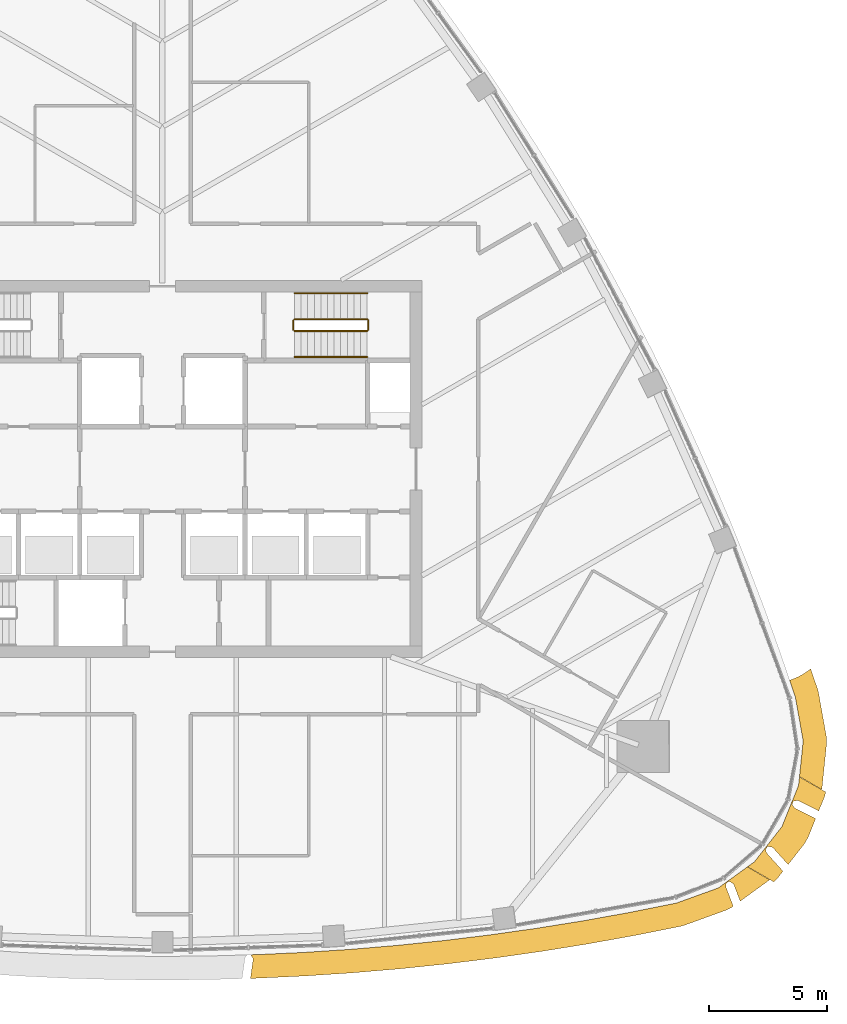
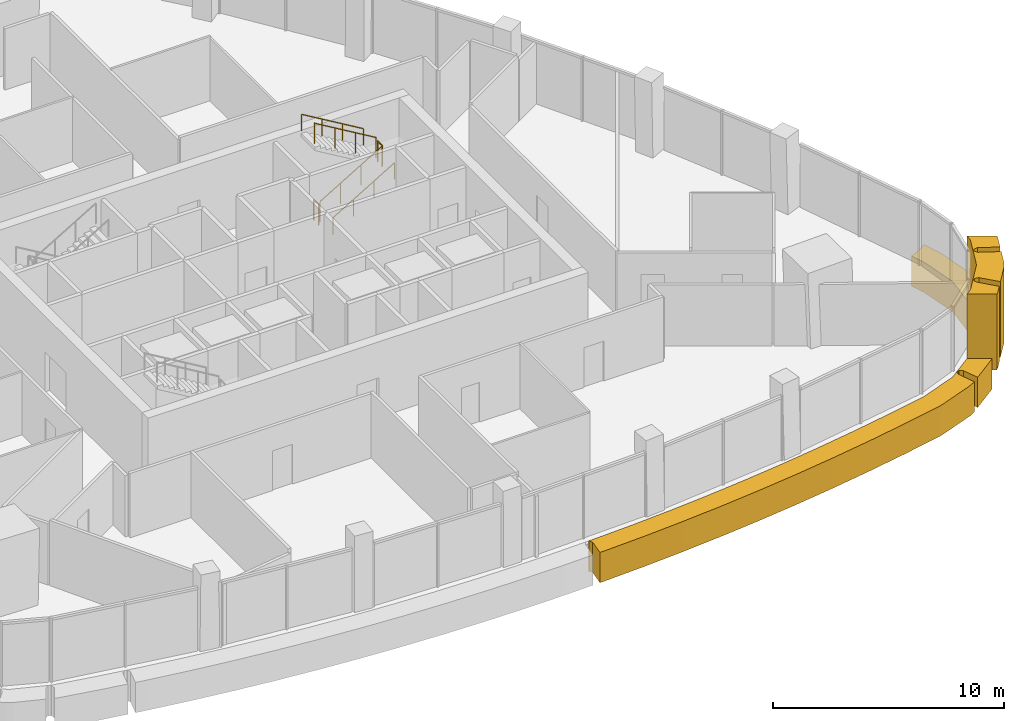
# One storey, part 13 of 15: 6 railings, 3 coverings.
"""IFC4 building model written with IfcOpenShell, lengths in metres."""

import ifcopenshell
import ifcopenshell.guid

model = None  # the IFC model being written
_history = None  # IfcOwnerHistory: only IFC2X3 demands one
_inside = {}  # id of a spatial element -> (the spatial element, [elements in it])
_under = {}  # id of a project, library or spatial element -> (it, [spatial elements below it])
_declared = {}  # id of a project -> (the project, [libraries it declares])
_typed = {}  # id of a type object -> (the type object, [elements of that type])
_made_of = {}  # id of a material, layer set ... -> (it, [elements and type objects made of it])


def new_model(schema):
    """Start an empty IFC model of exactly this schema.

    Asked for "IFC4X3", IfcOpenShell would pick the latest addendum, in which some entities
    have other attributes; the version numbers below select the first issue.
    IFC2X3 requires an IfcOwnerHistory on every rooted entity: one is made here for all.
    """
    global model, _history
    if schema == "IFC4X3":
        model = ifcopenshell.file(schema_version=(4, 3, 0, 0))
    else:
        model = ifcopenshell.file(schema=schema)
    _inside.clear()
    _under.clear()
    _declared.clear()
    _typed.clear()
    _made_of.clear()
    _history = None
    if model.schema == "IFC2X3":
        org = make("IfcOrganization", Name="unknown")
        user = make(
            "IfcPersonAndOrganization",
            ThePerson=make("IfcPerson", FamilyName="unknown"),
            TheOrganization=org,
        )
        app = make(
            "IfcApplication",
            ApplicationDeveloper=org,
            Version="unknown",
            ApplicationFullName="unknown",
            ApplicationIdentifier="unknown",
        )
        _history = make(
            "IfcOwnerHistory",
            OwningUser=user,
            OwningApplication=app,
            ChangeAction="ADDED",
            CreationDate=0,
        )
    return model


def make(cls, **values):
    """One entity of the class cls with the attributes given. An attribute that is None is left unset."""
    return model.create_entity(
        cls, **{name: value for name, value in values.items() if value is not None}
    )


def rooted(cls, **values):
    """An entity with a GlobalId (a new one), such as an element, a storey or a relation."""
    return make(cls, GlobalId=ifcopenshell.guid.new(), OwnerHistory=_history, **values)


def si_unit(unit_type, name, prefix=None):
    """IfcSIUnit, for example si_unit("LENGTHUNIT", "METRE", prefix="MILLI")."""
    return make("IfcSIUnit", UnitType=unit_type, Prefix=prefix, Name=name)


def assignment(units):
    """IfcUnitAssignment: the units of a project."""
    return None if units is None else make("IfcUnitAssignment", Units=units)


def point(xyz):
    """IfcCartesianPoint."""
    return None if xyz is None else make("IfcCartesianPoint", Coordinates=xyz)


def direction(xyz):
    """IfcDirection."""
    return None if xyz is None else make("IfcDirection", DirectionRatios=xyz)


def frame(location, z_axis=None, x_axis=None):
    """IfcAxis2Placement3D, a coordinate frame: its origin and axes. An axis left out is left unset."""
    return make(
        "IfcAxis2Placement3D",
        Location=point(location),
        Axis=direction(z_axis),
        RefDirection=direction(x_axis),
    )


def frame_2d(location, x_axis=None):
    """IfcAxis2Placement2D, a coordinate frame in the plane: its origin and x axis."""
    return make(
        "IfcAxis2Placement2D", Location=point(location), RefDirection=direction(x_axis)
    )


def origin():
    """The frame at (0, 0, 0) with its axes left unset."""
    return frame((0.0, 0.0, 0.0))


def origin_2d():
    """The frame at (0, 0) in the plane with its x axis left unset."""
    return frame_2d((0.0, 0.0))


def place(relative_to, where):
    """IfcLocalPlacement: puts the frame where relative to a parent placement (None: the world)."""
    return make(
        "IfcLocalPlacement", PlacementRelTo=relative_to, RelativePlacement=where
    )


def context(
    kind, dimensions, precision=None, world=None, true_north=None, identifier=None
):
    """IfcGeometricRepresentationContext, for example the 3D "Model" context."""
    return make(
        "IfcGeometricRepresentationContext",
        ContextIdentifier=identifier,
        ContextType=kind,
        CoordinateSpaceDimension=dimensions,
        Precision=precision,
        WorldCoordinateSystem=world,
        TrueNorth=true_north,
    )


def subcontext(parent, identifier, kind, view, scale=None):
    """IfcGeometricRepresentationSubContext, for example "Body" below "Model"."""
    return make(
        "IfcGeometricRepresentationSubContext",
        ContextIdentifier=identifier,
        ContextType=kind,
        ParentContext=parent,
        TargetScale=scale,
        TargetView=view,
    )


def project(units=None, contexts=None):
    """IfcProject with its units and contexts."""
    return rooted(
        "IfcProject",
        Name="project",
        RepresentationContexts=contexts,
        UnitsInContext=assignment(units),
    )


def spatial(cls, under=None, at=None, **own):
    """A site, building, storey or space (cls), placed at a placement, below another one or the project."""
    s = rooted(cls, ObjectPlacement=at, **own)
    if under is not None:
        _under.setdefault(under.id(), (under, []))[1].append(s)
    return s


def polyline(points):
    """IfcPolyline through the points."""
    return make("IfcPolyline", Points=[point(p) for p in points])


def profile(cls, at=None, kind="AREA", **sizes):
    """A parametric profile (cls). Its sizes go by their IFC names, for example OverallWidth=200.0."""
    return make(cls, ProfileType=kind, Position=at, **sizes)


def circle(**sizes):
    """IfcCircleProfileDef."""
    return profile("IfcCircleProfileDef", **sizes)


def outline(outer, holes=None, kind="AREA"):
    """IfcArbitraryClosedProfileDef: a profile drawn as a closed curve; with holes, ...WithVoids."""
    if holes is None:
        return make("IfcArbitraryClosedProfileDef", ProfileType=kind, OuterCurve=outer)
    return make(
        "IfcArbitraryProfileDefWithVoids",
        ProfileType=kind,
        OuterCurve=outer,
        InnerCurves=holes,
    )


def extrude(swept, where, along, depth):
    """IfcExtrudedAreaSolid: the profile swept, set in the frame where, extruded along a direction by depth."""
    return make(
        "IfcExtrudedAreaSolid",
        SweptArea=swept,
        Position=where,
        ExtrudedDirection=direction(along),
        Depth=depth,
    )


def shape(context_of_items, identifier, shape_type, items):
    """IfcShapeRepresentation: the items that make up one representation, for example the "Body"."""
    return make(
        "IfcShapeRepresentation",
        ContextOfItems=context_of_items,
        RepresentationIdentifier=identifier,
        RepresentationType=shape_type,
        Items=items,
    )


def material(Name=None, Category=None):
    """IfcMaterial."""
    return make("IfcMaterial", Name=Name, Category=Category)


def layer(
    of_material, thickness, ventilated=None, Name=None, Category=None, Priority=None
):
    """IfcMaterialLayer: one layer of a wall or slab, of a material (None: an air gap)."""
    return make(
        "IfcMaterialLayer",
        Material=of_material,
        LayerThickness=thickness,
        IsVentilated=ventilated,
        Name=Name,
        Category=Category,
        Priority=Priority,
    )


def layer_set(layers, Name=None):
    """IfcMaterialLayerSet."""
    return make("IfcMaterialLayerSet", MaterialLayers=layers, LayerSetName=Name)


def made_of(thing, what):
    """Note that an element or type object is made of a material, layer set ...; save() writes the relation."""
    if what is not None:
        _made_of.setdefault(what.id(), (what, []))[1].append(thing)
    return thing


def type_object(cls, material=None, **own):
    """A type object (cls), such as IfcWallType, which elements share."""
    return made_of(rooted(cls, **own), material)


def element(
    cls,
    number,
    at=None,
    inside=None,
    cuts=None,
    type_object=None,
    material=None,
    context=None,
    identifier="Body",
    shape_type=None,
    held_by="IfcProductDefinitionShape",
    body=None,
    shapes=None,
    **own,
):
    """One element of the class cls, such as IfcWall. Its Tag is "e" and its number.

    at: its placement. inside: the storey or other place that contains it. cuts: it is an
    opening in that element (IfcRelVoidsElement). A single representation is given by context,
    identifier, shape_type and body (its items); several are given by shapes. held_by: the class
    of the entity that holds the representations. save() writes the other relations.
    """
    e = rooted(cls, Tag="e%d" % number, ObjectPlacement=at, **own)
    if body is not None:
        shapes = [shape(context, identifier, shape_type, body)]
    if shapes is not None:
        e.Representation = make(held_by, Representations=shapes)
    if inside is not None:
        _inside.setdefault(inside.id(), (inside, []))[1].append(e)
    if cuts is not None:
        rooted(
            "IfcRelVoidsElement", RelatingBuildingElement=cuts, RelatedOpeningElement=e
        )
    if type_object is not None:
        _typed.setdefault(type_object.id(), (type_object, []))[1].append(e)
    return made_of(e, material)


def aggregate(whole, parts):
    """IfcRelAggregates: a whole, such as a stair, and the parts it consists of."""
    return rooted("IfcRelAggregates", RelatingObject=whole, RelatedObjects=parts)


def save(model, path):
    """Write the relations noted so far, then the file.

    IfcRelAggregates (storeys below a building ...), IfcRelContainedInSpatialStructure (elements
    in a storey), IfcRelDefinesByType, IfcRelAssociatesMaterial and IfcRelDeclares: one each for
    every whole, place, type object, material and project.
    """
    for whole, parts in _under.values():
        aggregate(whole, parts)
    for where, things in _inside.values():
        rooted(
            "IfcRelContainedInSpatialStructure",
            RelatedElements=things,
            RelatingStructure=where,
        )
    for kind, things in _typed.values():
        rooted("IfcRelDefinesByType", RelatedObjects=things, RelatingType=kind)
    for what, things in _made_of.values():
        rooted("IfcRelAssociatesMaterial", RelatedObjects=things, RelatingMaterial=what)
    for by, libraries in _declared.values():
        rooted("IfcRelDeclares", RelatingContext=by, RelatedDefinitions=libraries)
    model.write(path)


model = new_model("IFC4")

# Units and contexts
model_context = context("Model", 3, precision=1e-05, world=origin(), true_north=direction((0.0, 1.0)))
body_context = subcontext(model_context, "Body", "Model", "MODEL_VIEW")
ifc_project = project(units=[si_unit("LENGTHUNIT", "METRE"), si_unit("AREAUNIT", "SQUARE_METRE"), si_unit("VOLUMEUNIT", "CUBIC_METRE"), si_unit("PLANEANGLEUNIT", "RADIAN"), si_unit("MASSUNIT", "GRAM", prefix="KILO")], contexts=[model_context])

# Site, building, storey
site_placement = place(None, origin())
site = spatial("IfcSite", under=ifc_project, at=site_placement, CompositionType="ELEMENT")
building_placement = place(site_placement, origin())
building = spatial("IfcBuilding", under=site, at=building_placement, Name="Sierra Prisma Convention Tower", CompositionType="ELEMENT")
storey_placement = place(building_placement, frame((0.0, 0.0, 299.0)))
storey = spatial("IfcBuildingStorey", under=building, at=storey_placement, Name="L68", CompositionType="ELEMENT", Elevation=299.0)

# Coverings
ifc_material_1 = material(Name="Aluminium composite bronze anodised", Category="aluminium")
ifc_layer_1 = layer(ifc_material_1, 1.199951171875)
ifc_layer_set_1 = layer_set([ifc_layer_1], Name="Bronze corner pier")
covering_type_1 = type_object("IfcCoveringType", Name="Bronze corner pier", PredefinedType="CLADDING", material=ifc_layer_set_1)
covering_1_placement = place(storey_placement, frame((0.0, 0.0, -0.60009765625)))
element("IfcCovering", 1, at=covering_1_placement, inside=storey, type_object=covering_type_1, Name="Corner pier SE L68.1", PredefinedType="CLADDING", context=body_context, shape_type="SweptSolid", body=[
    extrude(outline(polyline([(26.9423828125, -14.055419921875), (26.937255859375, -14.05517578125), (26.932373046875, -14.0556640625), (26.782958984375, -14.07568359375), (26.7783203125, -14.07666015625), (26.773681640625, -14.077880859375), (26.769287109375, -14.07958984375), (26.764892578125, -14.081787109375), (26.760986328125, -14.08447265625), (26.757080078125, -14.08740234375), (26.753662109375, -14.090576171875), (26.75048828125, -14.09423828125), (26.747802734375, -14.09814453125), (26.745361328125, -14.102294921875), (26.743408203125, -14.106689453125), (26.705810546875, -14.19921875), (26.704345703125, -14.203857421875), (26.703125, -14.20849609375), (26.702392578125, -14.21337890625), (26.702392578125, -14.21826171875), (26.702392578125, -14.22314453125), (26.703125, -14.227783203125), (26.704345703125, -14.232666015625), (26.7060546875, -14.2373046875), (26.708251953125, -14.24169921875), (26.710693359375, -14.245849609375), (26.783935546875, -14.355712890625), (26.787109375, -14.35986328125), (26.79052734375, -14.363525390625), (26.794189453125, -14.366943359375), (26.79833984375, -14.3701171875), (26.802978515625, -14.37255859375), (27.694580078125, -14.826416015625), (27.377197265625, -15.61279296875), (27.209716796875, -15.903076171875), (26.529052734375, -16.7734375), (25.883056640625, -16.055419921875), (25.8798828125, -16.052001953125), (25.876220703125, -16.049072265625), (25.87255859375, -16.04638671875), (25.868408203125, -16.044189453125), (25.8642578125, -16.042236328125), (25.85986328125, -16.040771484375), (25.855224609375, -16.039794921875), (25.698486328125, -16.010009765625), (25.693603515625, -16.00927734375), (25.688720703125, -16.009033203125), (25.683837890625, -16.009521484375), (25.6787109375, -16.01025390625), (25.674072265625, -16.011474609375), (25.66943359375, -16.01318359375), (25.664794921875, -16.015380859375), (25.66064453125, -16.01806640625), (25.65673828125, -16.02099609375), (25.6533203125, -16.024658203125), (25.64990234375, -16.0283203125), (25.58837890625, -16.107177734375), (25.585205078125, -16.111328125), (25.582763671875, -16.11572265625), (25.580810546875, -16.12060546875), (25.5791015625, -16.12548828125), (25.578125, -16.130615234375), (25.57763671875, -16.1357421875), (25.577880859375, -16.140869140625), (25.578369140625, -16.14599609375), (25.57958984375, -16.151123046875), (25.61181640625, -16.269287109375), (25.61328125, -16.273681640625), (25.614990234375, -16.27783203125), (25.617431640625, -16.281982421875), (25.6201171875, -16.285888671875), (25.622802734375, -16.28955078125), (26.31005859375, -17.05322265625), (26.044921875, -17.392333984375), (25.9248046875, -17.508056640625), (24.808837890625, -16.86376953125), (25.099609375, -16.6533203125), (26.264404296875, -15.163818359375), (26.971923828125, -13.410400390625), (27.0087890625, -13.05322265625), (28.125, -13.697509765625), (28.084716796875, -13.859375), (27.825927734375, -14.50048828125), (26.961669921875, -14.060546875), (26.95703125, -14.05859375), (26.9521484375, -14.056884765625), (26.947265625, -14.055908203125), (26.9423828125, -14.055419921875)])), origin(), (0.0, 0.0, 1.0), 4.0),
])
ifc_material_2 = material(Name="Aluminium composite bronze anodised", Category="aluminium")
ifc_layer_2 = layer(ifc_material_2, 1.0)
ifc_layer_set_2 = layer_set([ifc_layer_2], Name="Bronze spandrel band")
covering_type_2 = type_object("IfcCoveringType", Name="Bronze spandrel band", PredefinedType="CLADDING", material=ifc_layer_set_2)
covering_2_placement = place(storey_placement, frame((0.0, 0.0, -1.60009765625)))
element("IfcCovering", 2, at=covering_2_placement, inside=storey, type_object=covering_type_2, Name="Spandrel band L68.5", PredefinedType="CLADDING", context=body_context, shape_type="SweptSolid", body=[
    extrude(outline(polyline([(27.966552734375, -13.513427734375), (27.948974609375, -13.58447265625), (27.010009765625, -13.04248046875), (27.1669921875, -11.529541015625), (26.83447265625, -9.668212890625), (26.593505859375, -8.9560546875), (26.732421875, -8.9052734375), (26.958984375, -8.809326171875), (27.17529296875, -8.69189453125), (27.379150390625, -8.5537109375), (27.483642578125, -8.466796875), (27.78173828125, -9.34765625), (27.81884765625, -9.4921875), (28.1513671875, -11.353515625), (28.16162109375, -11.6328125), (27.966552734375, -13.513427734375)])), origin(), (0.0, 0.0, 1.0), 1.60009765625),
])
covering_3_placement = place(storey_placement, frame((0.0, 0.0, -1.60009765625)))
element("IfcCovering", 3, at=covering_3_placement, inside=storey, type_object=covering_type_2, Name="Spandrel band L68.6", PredefinedType="CLADDING", context=body_context, shape_type="SweptSolid", body=[
    extrude(outline(polyline([(24.218505859375, -17.59912109375), (24.2158203125, -17.594970703125), (24.213134765625, -17.5908203125), (24.209716796875, -17.587158203125), (24.206298828125, -17.583740234375), (24.202392578125, -17.58056640625), (24.197998046875, -17.577880859375), (24.051513671875, -17.49609375), (24.047119140625, -17.493896484375), (24.042724609375, -17.4921875), (24.0380859375, -17.490966796875), (24.033447265625, -17.490234375), (24.02880859375, -17.48974609375), (24.024169921875, -17.48974609375), (24.019287109375, -17.490234375), (24.0146484375, -17.4912109375), (24.01025390625, -17.49267578125), (24.005859375, -17.494384765625), (24.001708984375, -17.49658203125), (23.997802734375, -17.499267578125), (23.916748046875, -17.557861328125), (23.912841796875, -17.56103515625), (23.9091796875, -17.564453125), (23.906005859375, -17.568359375), (23.9033203125, -17.572509765625), (23.90087890625, -17.57666015625), (23.89892578125, -17.581298828125), (23.897705078125, -17.5859375), (23.896484375, -17.5908203125), (23.89599609375, -17.595703125), (23.89013671875, -17.708251953125), (23.89013671875, -17.71337890625), (23.890869140625, -17.71875), (23.891845703125, -17.723876953125), (23.893310546875, -17.728759765625), (24.20263671875, -18.537841796875), (24.155029296875, -18.572509765625), (23.908203125, -18.702880859375), (22.1298828125, -19.345703125), (21.986083984375, -19.3857421875), (20.02978515625, -19.777099609375), (20.01123046875, -19.780517578125), (18.048095703125, -20.134765625), (18.029296875, -20.137939453125), (16.059814453125, -20.455322265625), (16.041259765625, -20.458251953125), (14.06591796875, -20.738525390625), (14.04736328125, -20.740966796875), (12.067138671875, -20.98388671875), (12.04833984375, -20.986083984375), (10.06396484375, -21.19189453125), (10.04541015625, -21.19384765625), (8.057373046875, -21.3623046875), (8.03857421875, -21.36376953125), (6.0478515625, -21.494873046875), (6.029052734375, -21.495849609375), (4.0361328125, -21.589599609375), (4.017333984375, -21.59033203125), (3.7333984375, -21.598388671875), (3.846435546875, -20.788330078125), (3.8466796875, -20.78369140625), (3.8466796875, -20.779052734375), (3.846435546875, -20.7744140625), (3.845458984375, -20.769775390625), (3.84423828125, -20.765380859375), (3.842529296875, -20.760986328125), (3.84033203125, -20.7568359375), (3.76220703125, -20.617919921875), (3.759521484375, -20.61376953125), (3.756591796875, -20.609619140625), (3.753173828125, -20.606201171875), (3.74951171875, -20.602783203125), (3.745361328125, -20.60009765625), (3.7412109375, -20.59765625), (3.9892578125, -20.5908203125), (5.982177734375, -20.4970703125), (7.972900390625, -20.365966796875), (9.960693359375, -20.197509765625), (11.9453125, -19.991455078125), (13.92529296875, -19.748291015625), (15.900634765625, -19.468017578125), (17.870361328125, -19.150634765625), (19.833740234375, -18.79638671875), (21.7900390625, -18.4052734375), (23.568359375, -17.7626953125), (24.800048828125, -16.8701171875), (25.739013671875, -17.412353515625), (25.686279296875, -17.462890625), (24.49609375, -18.3251953125), (24.220458984375, -17.603759765625), (24.218505859375, -17.59912109375)])), origin(), (0.0, 0.0, 1.0), 1.60009765625),
])

# Railings
ifc_material_3 = material(Name="Stainless steel", Category="steel")
railing_type_1 = type_object("IfcRailingType", Name="Exit stair handrail", PredefinedType="HANDRAIL", material=ifc_material_3)
railing_1_placement = place(storey_placement, frame((5.60009765625, 4.75, 0.166748046875)))
element("IfcRailing", 4, at=railing_1_placement, inside=storey, type_object=railing_type_1, Name="L68 S4 stair handrail 1", PredefinedType="HANDRAIL", context=body_context, shape_type="SweptSolid", body=[
    extrude(circle(Radius=0.02392578125, at=origin_2d()), frame((0.0, 0.0, 0.8759765625), z_axis=(0.859290745958, 0.0, 0.51148745235), x_axis=(0.0, 1.0, 0.0)), (0.0, 0.0, 1.0), 3.584228515625),
    extrude(circle(Radius=0.02099609375, at=origin_2d()), origin(), (0.0, 0.0, 1.0), 0.851806640625),
    extrude(circle(Radius=0.02099609375, at=origin_2d()), frame((1.026611328125, 0.0, 0.611083984375)), (0.0, 0.0, 1.0), 0.851806640625),
    extrude(circle(Radius=0.02099609375, at=origin_2d()), frame((2.05322265625, 0.0, 1.22216796875)), (0.0, 0.0, 1.0), 0.851806640625),
    extrude(circle(Radius=0.02099609375, at=origin_2d()), frame((3.079833984375, 0.0, 1.833251953125)), (0.0, 0.0, 1.0), 0.851806640625),
])
railing_2_placement = place(storey_placement, frame((8.679931640625, 7.449951171875, 2.166748046875)))
element("IfcRailing", 5, at=railing_2_placement, inside=storey, type_object=railing_type_1, Name="L68 S4 stair handrail 2", PredefinedType="HANDRAIL", context=body_context, shape_type="SweptSolid", body=[
    extrude(circle(Radius=0.02392578125, at=origin_2d()), frame((0.0, 0.0, 0.8759765625), z_axis=(-0.859290745958, 0.0, 0.51148745235), x_axis=(0.0, -1.0, 0.0)), (0.0, 0.0, 1.0), 3.584228515625),
    extrude(circle(Radius=0.02099609375, at=origin_2d()), origin(), (0.0, 0.0, 1.0), 0.851806640625),
    extrude(circle(Radius=0.02099609375, at=origin_2d()), frame((-1.026611328125, 0.0, 0.611083984375)), (0.0, 0.0, 1.0), 0.851806640625),
    extrude(circle(Radius=0.02099609375, at=origin_2d()), frame((-2.05322265625, 0.0, 1.22216796875)), (0.0, 0.0, 1.0), 0.851806640625),
    extrude(circle(Radius=0.02099609375, at=origin_2d()), frame((-3.079833984375, 0.0, 1.833251953125)), (0.0, 0.0, 1.0), 0.851806640625),
])
ifc_material_4 = material(Name="Stainless steel", Category="steel")
railing_type_2 = type_object("IfcRailingType", Name="Stair guard 1100", PredefinedType="GUARDRAIL", material=ifc_material_4)
railing_3_placement = place(storey_placement, frame((5.60009765625, 5.85009765625, 0.166748046875)))
element("IfcRailing", 6, at=railing_3_placement, inside=storey, type_object=railing_type_2, Name="L68 S4 stair guard 1", PredefinedType="GUARDRAIL", context=body_context, shape_type="SweptSolid", body=[
    extrude(circle(Radius=0.02392578125, at=origin_2d()), frame((0.0, 0.0, 1.076171875), z_axis=(0.859290745958, 0.0, 0.51148745235), x_axis=(0.0, 1.0, 0.0)), (0.0, 0.0, 1.0), 3.584228515625),
    extrude(circle(Radius=0.02099609375, at=origin_2d()), origin(), (0.0, 0.0, 1.0), 1.052001953125),
    extrude(circle(Radius=0.02099609375, at=origin_2d()), frame((1.026611328125, 0.0, 0.611083984375)), (0.0, 0.0, 1.0), 1.052001953125),
    extrude(circle(Radius=0.02099609375, at=origin_2d()), frame((2.05322265625, 0.0, 1.22216796875)), (0.0, 0.0, 1.0), 1.052001953125),
    extrude(circle(Radius=0.02099609375, at=origin_2d()), frame((3.079833984375, 0.0, 1.833251953125)), (0.0, 0.0, 1.0), 1.052001953125),
])
railing_4_placement = place(storey_placement, frame((8.72998046875, 5.89990234375, 2.0)))
element("IfcRailing", 7, at=railing_4_placement, inside=storey, type_object=railing_type_2, Name="L68 S4 stair guard 2", PredefinedType="GUARDRAIL", context=body_context, shape_type="SweptSolid", body=[
    extrude(circle(Radius=0.02392578125, at=origin_2d()), frame((0.0, 0.0, 1.076171875), z_axis=(0.0, 1.0, 0.0), x_axis=(-1.0, 0.0, 0.0)), (0.0, 0.0, 1.0), 0.400146484375),
    extrude(circle(Radius=0.02099609375, at=origin_2d()), origin(), (0.0, 0.0, 1.0), 1.052001953125),
    extrude(circle(Radius=0.02099609375, at=origin_2d()), frame((0.0, 0.400146484375, 0.0)), (0.0, 0.0, 1.0), 1.052001953125),
])
railing_5_placement = place(storey_placement, frame((8.679931640625, 6.35009765625, 2.166748046875)))
element("IfcRailing", 8, at=railing_5_placement, inside=storey, type_object=railing_type_2, Name="L68 S4 stair guard 3", PredefinedType="GUARDRAIL", context=body_context, shape_type="SweptSolid", body=[
    extrude(circle(Radius=0.02392578125, at=origin_2d()), frame((0.0, 0.0, 1.076171875), z_axis=(-0.859290745958, 0.0, 0.51148745235), x_axis=(0.0, -1.0, 0.0)), (0.0, 0.0, 1.0), 3.584228515625),
    extrude(circle(Radius=0.02099609375, at=origin_2d()), origin(), (0.0, 0.0, 1.0), 1.052001953125),
    extrude(circle(Radius=0.02099609375, at=origin_2d()), frame((-1.026611328125, 0.0, 0.611083984375)), (0.0, 0.0, 1.0), 1.052001953125),
    extrude(circle(Radius=0.02099609375, at=origin_2d()), frame((-2.05322265625, 0.0, 1.22216796875)), (0.0, 0.0, 1.0), 1.052001953125),
    extrude(circle(Radius=0.02099609375, at=origin_2d()), frame((-3.079833984375, 0.0, 1.833251953125)), (0.0, 0.0, 1.0), 1.052001953125),
])
railing_6_placement = place(storey_placement, frame((5.550048828125, 5.89990234375, 0.0)))
element("IfcRailing", 9, at=railing_6_placement, inside=storey, type_object=railing_type_2, Name="L68 S4 stair guard 4", PredefinedType="GUARDRAIL", context=body_context, shape_type="SweptSolid", body=[
    extrude(circle(Radius=0.02392578125, at=origin_2d()), frame((0.0, 0.0, 1.076171875), z_axis=(0.0, 1.0, 0.0), x_axis=(-1.0, 0.0, 0.0)), (0.0, 0.0, 1.0), 0.400146484375),
    extrude(circle(Radius=0.02099609375, at=origin_2d()), origin(), (0.0, 0.0, 1.0), 1.052001953125),
    extrude(circle(Radius=0.02099609375, at=origin_2d()), frame((0.0, 0.400146484375, 0.0)), (0.0, 0.0, 1.0), 1.052001953125),
])

save(model, "model.ifc")
